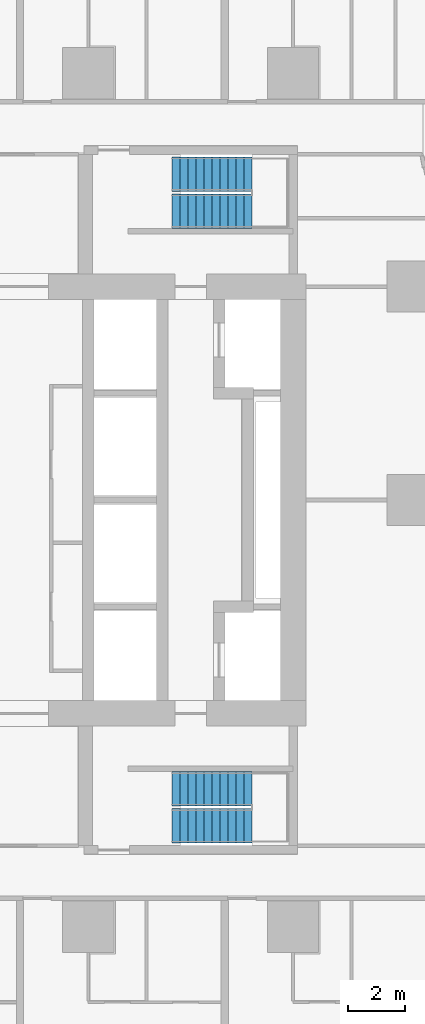
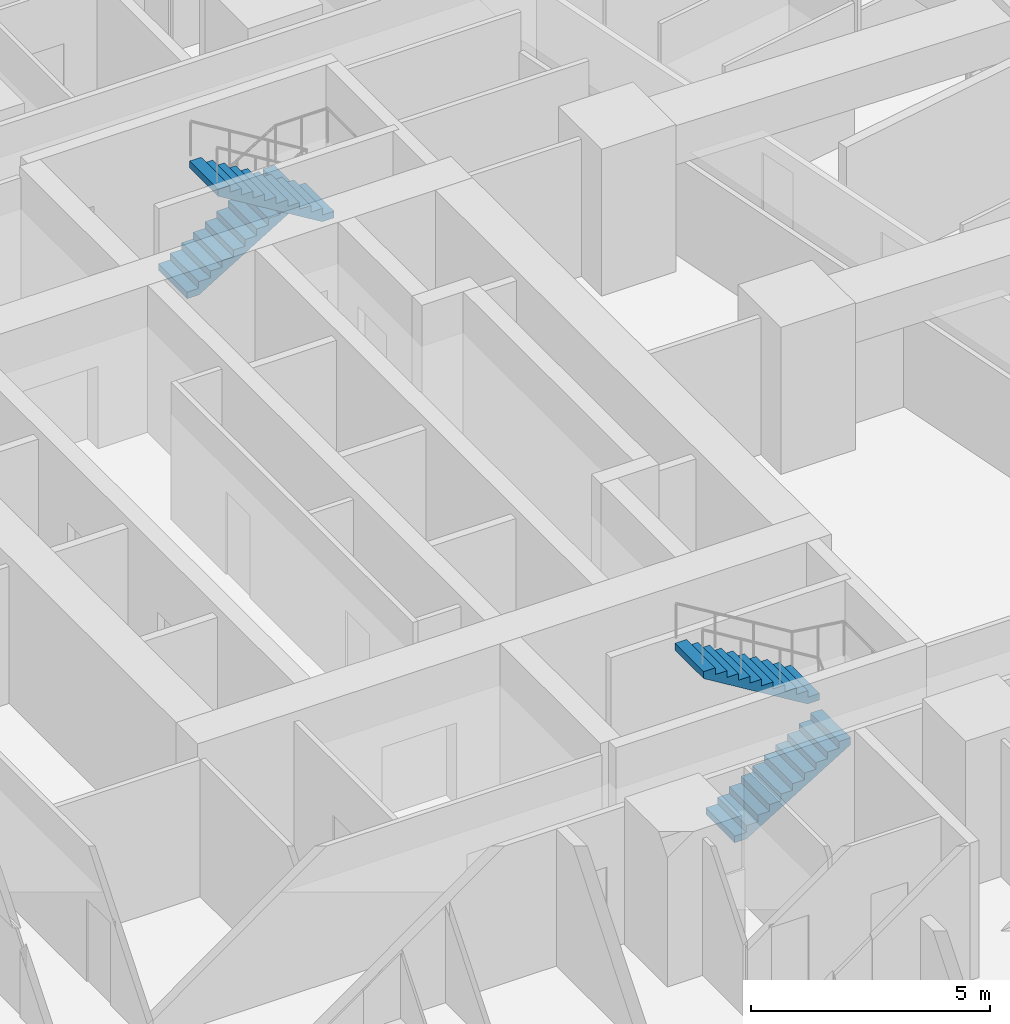
# One storey, part 12 of 15: 4 stair flights, 2 elements without a shape of their own.
"""IFC4 building model written with IfcOpenShell, lengths in metres."""

from ifc_helpers import new_model, si_unit, direction, frame, origin, place, context, subcontext, project, spatial, triangles, material, type_object, element, aggregate, save


model = new_model("IFC4")

# Units and contexts
model_context = context("Model", 3, precision=1e-05, world=origin(), true_north=direction((0.0, 1.0)))
body_context = subcontext(model_context, "Body", "Model", "MODEL_VIEW")
ifc_project = project(units=[si_unit("LENGTHUNIT", "METRE"), si_unit("AREAUNIT", "SQUARE_METRE"), si_unit("VOLUMEUNIT", "CUBIC_METRE"), si_unit("PLANEANGLEUNIT", "RADIAN"), si_unit("MASSUNIT", "GRAM", prefix="KILO")], contexts=[model_context])

# Site, building, storey
site_placement = place(None, origin())
site = spatial("IfcSite", under=ifc_project, at=site_placement, CompositionType="ELEMENT")
building_placement = place(site_placement, origin())
building = spatial("IfcBuilding", under=site, at=building_placement, Name="Sheger Commons Tower", CompositionType="ELEMENT")
storey_placement = place(building_placement, frame((0.0, 0.0, 65.0)))
storey = spatial("IfcBuildingStorey", under=building, at=storey_placement, Name="L16", CompositionType="ELEMENT", Elevation=65.0)

# Stair, stair flights
ifc_material_1 = material(Name="Concrete C35/45", Category="concrete")
stair_type = type_object("IfcStairType", Name="HALF-TURN STAIR 1200 RISE 3750", PredefinedType="HALF_TURN_STAIR", material=ifc_material_1)
stair_1_placement = place(storey_placement, origin())
stair_1 = element("IfcStair", 1, at=stair_1_placement, inside=storey, type_object=stair_type, Name="Stair S1 L16", PredefinedType="HALF_TURN_STAIR")
ifc_material_2 = material(Name="Concrete C35/45", Category="concrete")
stair_flight_type = type_object("IfcStairFlightType", Name="STAIR FLIGHT 1200 11 RISERS OF 170", PredefinedType="STRAIGHT", material=ifc_material_2)
stair_flight_1_placement = place(storey_placement, frame((24.550048828125, 11.050048828125, 0.0), z_axis=(0.0, 0.0, 1.0), x_axis=(1.0, 0.0, 0.0)))
stair_flight_1 = element("IfcStairFlight", 2, at=stair_flight_1_placement, type_object=stair_flight_type, Name="S1 flight 1", NumberOfRisers=11, NumberOfTreads=10, PredefinedType="STRAIGHT", RiserHeight=0.170454545, TreadLength=0.28, context=body_context, shape_type="Tessellation", body=[
    triangles([(0.0, 0.5999755859375, 0.0), (0.0, 0.5999755859375, 0.17041015625), (0.280029296875, 0.5999755859375, 0.17041015625), (0.280029296875, 0.5999755859375, 0.3408203125), (0.56005859375, 0.5999755859375, 0.3408203125), (0.56005859375, 0.5999755859375, 0.511474609375), (0.840087890625, 0.5999755859375, 0.511474609375), (0.840087890625, 0.5999755859375, 0.681884765625), (1.1201171875, 0.5999755859375, 0.681884765625), (1.1201171875, 0.5999755859375, 0.852294921875), (1.39990234375, 0.5999755859375, 0.852294921875), (1.39990234375, 0.5999755859375, 1.022705078125), (1.679931640625, 0.5999755859375, 1.022705078125), (1.679931640625, 0.5999755859375, 1.193115234375), (1.9599609375, 0.5999755859375, 1.193115234375), (1.9599609375, 0.5999755859375, 1.363525390625), (2.239990234375, 0.5999755859375, 1.363525390625), (2.239990234375, 0.5999755859375, 1.5341796875), (2.52001953125, 0.5999755859375, 1.5341796875), (2.52001953125, 0.5999755859375, 1.70458984375), (2.800048828125, 0.5999755859375, 1.70458984375), (2.800048828125, 0.5999755859375, 1.529052734375), (0.288330078125, 0.5999755859375, 0.0), (0.0, -0.5999755859375, 0.0), (0.0, -0.5999755859375, 0.17041015625), (0.280029296875, -0.5999755859375, 0.17041015625), (0.280029296875, -0.5999755859375, 0.3408203125), (0.56005859375, -0.5999755859375, 0.3408203125), (0.56005859375, -0.5999755859375, 0.511474609375), (0.840087890625, -0.5999755859375, 0.511474609375), (0.840087890625, -0.5999755859375, 0.681884765625), (1.1201171875, -0.5999755859375, 0.681884765625), (1.1201171875, -0.5999755859375, 0.852294921875), (1.39990234375, -0.5999755859375, 0.852294921875), (1.39990234375, -0.5999755859375, 1.022705078125), (1.679931640625, -0.5999755859375, 1.022705078125), (1.679931640625, -0.5999755859375, 1.193115234375), (1.9599609375, -0.5999755859375, 1.193115234375), (1.9599609375, -0.5999755859375, 1.363525390625), (2.239990234375, -0.5999755859375, 1.363525390625), (2.239990234375, -0.5999755859375, 1.5341796875), (2.52001953125, -0.5999755859375, 1.5341796875), (2.52001953125, -0.5999755859375, 1.70458984375), (2.800048828125, -0.5999755859375, 1.70458984375), (2.800048828125, -0.5999755859375, 1.529052734375), (0.288330078125, -0.5999755859375, 0.0), (0.0, 0.0, 0.085205078125), (0.1400146484375, 0.0, 0.17041015625), (0.280029296875, 0.0, 0.255615234375), (0.4200439453125, 0.0, 0.3408203125), (0.56005859375, 0.0, 0.4261474609375), (0.7000732421875, 0.0, 0.511474609375), (0.840087890625, 0.0, 0.5966796875), (0.9801025390625, 0.0, 0.681884765625), (1.1201171875, 0.0, 0.76708984375), (1.260009765625, 0.0, 0.852294921875), (1.39990234375, 0.0, 0.9375), (1.5399169921875, 0.0, 1.022705078125), (1.679931640625, 0.0, 1.10791015625), (1.8199462890625, 0.0, 1.193115234375), (1.9599609375, 0.0, 1.2783203125), (2.0999755859375, 0.0, 1.363525390625), (2.239990234375, 0.0, 1.4488525390625), (2.3800048828125, 0.0, 1.5341796875), (2.52001953125, 0.0, 1.619384765625), (2.6600341796875, 0.0, 1.70458984375), (2.800048828125, 0.0, 1.6168212890625), (1.544189453125, 0.0, 0.7645263671875), (0.1441650390625, 0.0, 0.0)], [[1, 22, 23], [24, 46, 45], [22, 20, 21], [45, 44, 43], [22, 19, 20], [45, 43, 42], [22, 18, 19], [45, 42, 41], [22, 17, 18], [45, 41, 40], [17, 15, 16], [40, 39, 38], [22, 15, 17], [45, 40, 38], [15, 13, 14], [38, 37, 36], [22, 13, 15], [45, 38, 36], [13, 11, 12], [36, 35, 34], [22, 11, 13], [45, 36, 34], [11, 9, 10], [34, 33, 32], [22, 9, 11], [45, 34, 32], [9, 7, 8], [32, 31, 30], [22, 7, 9], [45, 32, 30], [7, 5, 6], [30, 29, 28], [22, 5, 7], [45, 30, 28], [5, 3, 4], [28, 27, 26], [22, 3, 5], [45, 28, 26], [1, 3, 22], [24, 45, 26], [3, 1, 2], [26, 25, 24], [1, 47, 2], [2, 47, 25], [25, 47, 24], [24, 47, 1], [2, 48, 3], [3, 48, 26], [26, 48, 25], [25, 48, 2], [3, 49, 4], [4, 49, 27], [27, 49, 26], [26, 49, 3], [4, 50, 5], [5, 50, 28], [28, 50, 27], [27, 50, 4], [5, 51, 6], [6, 51, 29], [29, 51, 28], [28, 51, 5], [6, 52, 7], [7, 52, 30], [30, 52, 29], [29, 52, 6], [7, 53, 8], [8, 53, 31], [31, 53, 30], [30, 53, 7], [8, 54, 9], [9, 54, 32], [32, 54, 31], [31, 54, 8], [9, 55, 10], [10, 55, 33], [33, 55, 32], [32, 55, 9], [10, 56, 11], [11, 56, 34], [34, 56, 33], [33, 56, 10], [11, 57, 12], [12, 57, 35], [35, 57, 34], [34, 57, 11], [12, 58, 13], [13, 58, 36], [36, 58, 35], [35, 58, 12], [13, 59, 14], [14, 59, 37], [37, 59, 36], [36, 59, 13], [14, 60, 15], [15, 60, 38], [38, 60, 37], [37, 60, 14], [15, 61, 16], [16, 61, 39], [39, 61, 38], [38, 61, 15], [16, 62, 17], [17, 62, 40], [40, 62, 39], [39, 62, 16], [17, 63, 18], [18, 63, 41], [41, 63, 40], [40, 63, 17], [18, 64, 19], [19, 64, 42], [42, 64, 41], [41, 64, 18], [19, 65, 20], [20, 65, 43], [43, 65, 42], [42, 65, 19], [20, 66, 21], [21, 66, 44], [44, 66, 43], [43, 66, 20], [21, 67, 22], [22, 67, 45], [45, 67, 44], [44, 67, 21], [22, 68, 23], [23, 68, 46], [46, 68, 45], [45, 68, 22], [23, 69, 1], [1, 69, 24], [24, 69, 46], [46, 69, 23]], closed=True),
])
stair_flight_2_placement = place(storey_placement, frame((27.35009765625, 12.35009765625, 1.875), z_axis=(0.0, 0.0, 1.0), x_axis=(-1.0, 0.0, 0.0)))
stair_flight_2 = element("IfcStairFlight", 3, at=stair_flight_2_placement, type_object=stair_flight_type, Name="S1 flight 2", NumberOfRisers=11, NumberOfTreads=10, PredefinedType="STRAIGHT", RiserHeight=0.170454545, TreadLength=0.28, context=body_context, shape_type="Tessellation", body=[
    triangles([(0.0, 0.5999755859375, 0.0), (0.0, 0.5999755859375, 0.17041015625), (0.280029296875, 0.5999755859375, 0.17041015625), (0.280029296875, 0.5999755859375, 0.3408203125), (0.56005859375, 0.5999755859375, 0.3408203125), (0.56005859375, 0.5999755859375, 0.511474609375), (0.840087890625, 0.5999755859375, 0.511474609375), (0.840087890625, 0.5999755859375, 0.681884765625), (1.1201171875, 0.5999755859375, 0.681884765625), (1.1201171875, 0.5999755859375, 0.852294921875), (1.39990234375, 0.5999755859375, 0.852294921875), (1.39990234375, 0.5999755859375, 1.022705078125), (1.679931640625, 0.5999755859375, 1.022705078125), (1.679931640625, 0.5999755859375, 1.193115234375), (1.9599609375, 0.5999755859375, 1.193115234375), (1.9599609375, 0.5999755859375, 1.363525390625), (2.239990234375, 0.5999755859375, 1.363525390625), (2.239990234375, 0.5999755859375, 1.5341796875), (2.52001953125, 0.5999755859375, 1.5341796875), (2.52001953125, 0.5999755859375, 1.70458984375), (2.800048828125, 0.5999755859375, 1.70458984375), (2.800048828125, 0.5999755859375, 1.529052734375), (0.288330078125, 0.5999755859375, 0.0), (0.0, -0.5999755859375, 0.0), (0.0, -0.5999755859375, 0.17041015625), (0.280029296875, -0.5999755859375, 0.17041015625), (0.280029296875, -0.5999755859375, 0.3408203125), (0.56005859375, -0.5999755859375, 0.3408203125), (0.56005859375, -0.5999755859375, 0.511474609375), (0.840087890625, -0.5999755859375, 0.511474609375), (0.840087890625, -0.5999755859375, 0.681884765625), (1.1201171875, -0.5999755859375, 0.681884765625), (1.1201171875, -0.5999755859375, 0.852294921875), (1.39990234375, -0.5999755859375, 0.852294921875), (1.39990234375, -0.5999755859375, 1.022705078125), (1.679931640625, -0.5999755859375, 1.022705078125), (1.679931640625, -0.5999755859375, 1.193115234375), (1.9599609375, -0.5999755859375, 1.193115234375), (1.9599609375, -0.5999755859375, 1.363525390625), (2.239990234375, -0.5999755859375, 1.363525390625), (2.239990234375, -0.5999755859375, 1.5341796875), (2.52001953125, -0.5999755859375, 1.5341796875), (2.52001953125, -0.5999755859375, 1.70458984375), (2.800048828125, -0.5999755859375, 1.70458984375), (2.800048828125, -0.5999755859375, 1.529052734375), (0.288330078125, -0.5999755859375, 0.0), (0.0, 0.0, 0.085205078125), (0.1400146484375, 0.0, 0.17041015625), (0.280029296875, 0.0, 0.255615234375), (0.4200439453125, 0.0, 0.3408203125), (0.56005859375, 0.0, 0.4261474609375), (0.7000732421875, 0.0, 0.511474609375), (0.840087890625, 0.0, 0.5966796875), (0.9801025390625, 0.0, 0.681884765625), (1.1201171875, 0.0, 0.76708984375), (1.260009765625, 0.0, 0.852294921875), (1.39990234375, 0.0, 0.9375), (1.5399169921875, 0.0, 1.022705078125), (1.679931640625, 0.0, 1.10791015625), (1.8199462890625, 0.0, 1.193115234375), (1.9599609375, 0.0, 1.2783203125), (2.0999755859375, 0.0, 1.363525390625), (2.239990234375, 0.0, 1.4488525390625), (2.3800048828125, 0.0, 1.5341796875), (2.52001953125, 0.0, 1.619384765625), (2.6600341796875, 0.0, 1.70458984375), (2.800048828125, 0.0, 1.6168212890625), (1.544189453125, 0.0, 0.7645263671875), (0.1441650390625, 0.0, 0.0)], [[1, 22, 23], [24, 46, 45], [22, 20, 21], [45, 44, 43], [22, 19, 20], [45, 43, 42], [22, 18, 19], [45, 42, 41], [22, 17, 18], [45, 41, 40], [17, 15, 16], [40, 39, 38], [22, 15, 17], [45, 40, 38], [15, 13, 14], [38, 37, 36], [22, 13, 15], [45, 38, 36], [13, 11, 12], [36, 35, 34], [22, 11, 13], [45, 36, 34], [11, 9, 10], [34, 33, 32], [22, 9, 11], [45, 34, 32], [9, 7, 8], [32, 31, 30], [22, 7, 9], [45, 32, 30], [7, 5, 6], [30, 29, 28], [22, 5, 7], [45, 30, 28], [5, 3, 4], [28, 27, 26], [22, 3, 5], [45, 28, 26], [1, 3, 22], [24, 45, 26], [3, 1, 2], [26, 25, 24], [1, 47, 2], [2, 47, 25], [25, 47, 24], [24, 47, 1], [2, 48, 3], [3, 48, 26], [26, 48, 25], [25, 48, 2], [3, 49, 4], [4, 49, 27], [27, 49, 26], [26, 49, 3], [4, 50, 5], [5, 50, 28], [28, 50, 27], [27, 50, 4], [5, 51, 6], [6, 51, 29], [29, 51, 28], [28, 51, 5], [6, 52, 7], [7, 52, 30], [30, 52, 29], [29, 52, 6], [7, 53, 8], [8, 53, 31], [31, 53, 30], [30, 53, 7], [8, 54, 9], [9, 54, 32], [32, 54, 31], [31, 54, 8], [9, 55, 10], [10, 55, 33], [33, 55, 32], [32, 55, 9], [10, 56, 11], [11, 56, 34], [34, 56, 33], [33, 56, 10], [11, 57, 12], [12, 57, 35], [35, 57, 34], [34, 57, 11], [12, 58, 13], [13, 58, 36], [36, 58, 35], [35, 58, 12], [13, 59, 14], [14, 59, 37], [37, 59, 36], [36, 59, 13], [14, 60, 15], [15, 60, 38], [38, 60, 37], [37, 60, 14], [15, 61, 16], [16, 61, 39], [39, 61, 38], [38, 61, 15], [16, 62, 17], [17, 62, 40], [40, 62, 39], [39, 62, 16], [17, 63, 18], [18, 63, 41], [41, 63, 40], [40, 63, 17], [18, 64, 19], [19, 64, 42], [42, 64, 41], [41, 64, 18], [19, 65, 20], [20, 65, 43], [43, 65, 42], [42, 65, 19], [20, 66, 21], [21, 66, 44], [44, 66, 43], [43, 66, 20], [21, 67, 22], [22, 67, 45], [45, 67, 44], [44, 67, 21], [22, 68, 23], [23, 68, 46], [46, 68, 45], [45, 68, 22], [23, 69, 1], [1, 69, 24], [24, 69, 46], [46, 69, 23]], closed=True),
])
aggregate(stair_1, [stair_flight_1, stair_flight_2])

stair_2_placement = place(storey_placement, origin())
stair_2 = element("IfcStair", 4, at=stair_2_placement, inside=storey, type_object=stair_type, Name="Stair S2 L16", PredefinedType="HALF_TURN_STAIR")
stair_flight_3_placement = place(storey_placement, frame((24.550048828125, 33.949951171875, 0.0), z_axis=(0.0, 0.0, 1.0), x_axis=(1.0, 0.0, 0.0)))
stair_flight_3 = element("IfcStairFlight", 5, at=stair_flight_3_placement, type_object=stair_flight_type, Name="S2 flight 1", NumberOfRisers=11, NumberOfTreads=10, PredefinedType="STRAIGHT", RiserHeight=0.170454545, TreadLength=0.28, context=body_context, shape_type="Tessellation", body=[
    triangles([(0.0, 0.5999755859375, 0.0), (0.0, 0.5999755859375, 0.17041015625), (0.280029296875, 0.5999755859375, 0.17041015625), (0.280029296875, 0.5999755859375, 0.3408203125), (0.56005859375, 0.5999755859375, 0.3408203125), (0.56005859375, 0.5999755859375, 0.511474609375), (0.840087890625, 0.5999755859375, 0.511474609375), (0.840087890625, 0.5999755859375, 0.681884765625), (1.1201171875, 0.5999755859375, 0.681884765625), (1.1201171875, 0.5999755859375, 0.852294921875), (1.39990234375, 0.5999755859375, 0.852294921875), (1.39990234375, 0.5999755859375, 1.022705078125), (1.679931640625, 0.5999755859375, 1.022705078125), (1.679931640625, 0.5999755859375, 1.193115234375), (1.9599609375, 0.5999755859375, 1.193115234375), (1.9599609375, 0.5999755859375, 1.363525390625), (2.239990234375, 0.5999755859375, 1.363525390625), (2.239990234375, 0.5999755859375, 1.5341796875), (2.52001953125, 0.5999755859375, 1.5341796875), (2.52001953125, 0.5999755859375, 1.70458984375), (2.800048828125, 0.5999755859375, 1.70458984375), (2.800048828125, 0.5999755859375, 1.529052734375), (0.288330078125, 0.5999755859375, 0.0), (0.0, -0.5999755859375, 0.0), (0.0, -0.5999755859375, 0.17041015625), (0.280029296875, -0.5999755859375, 0.17041015625), (0.280029296875, -0.5999755859375, 0.3408203125), (0.56005859375, -0.5999755859375, 0.3408203125), (0.56005859375, -0.5999755859375, 0.511474609375), (0.840087890625, -0.5999755859375, 0.511474609375), (0.840087890625, -0.5999755859375, 0.681884765625), (1.1201171875, -0.5999755859375, 0.681884765625), (1.1201171875, -0.5999755859375, 0.852294921875), (1.39990234375, -0.5999755859375, 0.852294921875), (1.39990234375, -0.5999755859375, 1.022705078125), (1.679931640625, -0.5999755859375, 1.022705078125), (1.679931640625, -0.5999755859375, 1.193115234375), (1.9599609375, -0.5999755859375, 1.193115234375), (1.9599609375, -0.5999755859375, 1.363525390625), (2.239990234375, -0.5999755859375, 1.363525390625), (2.239990234375, -0.5999755859375, 1.5341796875), (2.52001953125, -0.5999755859375, 1.5341796875), (2.52001953125, -0.5999755859375, 1.70458984375), (2.800048828125, -0.5999755859375, 1.70458984375), (2.800048828125, -0.5999755859375, 1.529052734375), (0.288330078125, -0.5999755859375, 0.0), (0.0, 0.0, 0.085205078125), (0.1400146484375, 0.0, 0.17041015625), (0.280029296875, 0.0, 0.255615234375), (0.4200439453125, 0.0, 0.3408203125), (0.56005859375, 0.0, 0.4261474609375), (0.7000732421875, 0.0, 0.511474609375), (0.840087890625, 0.0, 0.5966796875), (0.9801025390625, 0.0, 0.681884765625), (1.1201171875, 0.0, 0.76708984375), (1.260009765625, 0.0, 0.852294921875), (1.39990234375, 0.0, 0.9375), (1.5399169921875, 0.0, 1.022705078125), (1.679931640625, 0.0, 1.10791015625), (1.8199462890625, 0.0, 1.193115234375), (1.9599609375, 0.0, 1.2783203125), (2.0999755859375, 0.0, 1.363525390625), (2.239990234375, 0.0, 1.4488525390625), (2.3800048828125, 0.0, 1.5341796875), (2.52001953125, 0.0, 1.619384765625), (2.6600341796875, 0.0, 1.70458984375), (2.800048828125, 0.0, 1.6168212890625), (1.544189453125, 0.0, 0.7645263671875), (0.1441650390625, 0.0, 0.0)], [[1, 22, 23], [24, 46, 45], [22, 20, 21], [45, 44, 43], [22, 19, 20], [45, 43, 42], [22, 18, 19], [45, 42, 41], [22, 17, 18], [45, 41, 40], [17, 15, 16], [40, 39, 38], [22, 15, 17], [45, 40, 38], [15, 13, 14], [38, 37, 36], [22, 13, 15], [45, 38, 36], [13, 11, 12], [36, 35, 34], [22, 11, 13], [45, 36, 34], [11, 9, 10], [34, 33, 32], [22, 9, 11], [45, 34, 32], [9, 7, 8], [32, 31, 30], [22, 7, 9], [45, 32, 30], [7, 5, 6], [30, 29, 28], [22, 5, 7], [45, 30, 28], [5, 3, 4], [28, 27, 26], [22, 3, 5], [45, 28, 26], [1, 3, 22], [24, 45, 26], [3, 1, 2], [26, 25, 24], [1, 47, 2], [2, 47, 25], [25, 47, 24], [24, 47, 1], [2, 48, 3], [3, 48, 26], [26, 48, 25], [25, 48, 2], [3, 49, 4], [4, 49, 27], [27, 49, 26], [26, 49, 3], [4, 50, 5], [5, 50, 28], [28, 50, 27], [27, 50, 4], [5, 51, 6], [6, 51, 29], [29, 51, 28], [28, 51, 5], [6, 52, 7], [7, 52, 30], [30, 52, 29], [29, 52, 6], [7, 53, 8], [8, 53, 31], [31, 53, 30], [30, 53, 7], [8, 54, 9], [9, 54, 32], [32, 54, 31], [31, 54, 8], [9, 55, 10], [10, 55, 33], [33, 55, 32], [32, 55, 9], [10, 56, 11], [11, 56, 34], [34, 56, 33], [33, 56, 10], [11, 57, 12], [12, 57, 35], [35, 57, 34], [34, 57, 11], [12, 58, 13], [13, 58, 36], [36, 58, 35], [35, 58, 12], [13, 59, 14], [14, 59, 37], [37, 59, 36], [36, 59, 13], [14, 60, 15], [15, 60, 38], [38, 60, 37], [37, 60, 14], [15, 61, 16], [16, 61, 39], [39, 61, 38], [38, 61, 15], [16, 62, 17], [17, 62, 40], [40, 62, 39], [39, 62, 16], [17, 63, 18], [18, 63, 41], [41, 63, 40], [40, 63, 17], [18, 64, 19], [19, 64, 42], [42, 64, 41], [41, 64, 18], [19, 65, 20], [20, 65, 43], [43, 65, 42], [42, 65, 19], [20, 66, 21], [21, 66, 44], [44, 66, 43], [43, 66, 20], [21, 67, 22], [22, 67, 45], [45, 67, 44], [44, 67, 21], [22, 68, 23], [23, 68, 46], [46, 68, 45], [45, 68, 22], [23, 69, 1], [1, 69, 24], [24, 69, 46], [46, 69, 23]], closed=True),
])
stair_flight_4_placement = place(storey_placement, frame((27.35009765625, 32.64990234375, 1.875), z_axis=(0.0, 0.0, 1.0), x_axis=(-1.0, 0.0, 0.0)))
stair_flight_4 = element("IfcStairFlight", 6, at=stair_flight_4_placement, type_object=stair_flight_type, Name="S2 flight 2", NumberOfRisers=11, NumberOfTreads=10, PredefinedType="STRAIGHT", RiserHeight=0.170454545, TreadLength=0.28, context=body_context, shape_type="Tessellation", body=[
    triangles([(0.0, 0.5999755859375, 0.0), (0.0, 0.5999755859375, 0.17041015625), (0.280029296875, 0.5999755859375, 0.17041015625), (0.280029296875, 0.5999755859375, 0.3408203125), (0.56005859375, 0.5999755859375, 0.3408203125), (0.56005859375, 0.5999755859375, 0.511474609375), (0.840087890625, 0.5999755859375, 0.511474609375), (0.840087890625, 0.5999755859375, 0.681884765625), (1.1201171875, 0.5999755859375, 0.681884765625), (1.1201171875, 0.5999755859375, 0.852294921875), (1.39990234375, 0.5999755859375, 0.852294921875), (1.39990234375, 0.5999755859375, 1.022705078125), (1.679931640625, 0.5999755859375, 1.022705078125), (1.679931640625, 0.5999755859375, 1.193115234375), (1.9599609375, 0.5999755859375, 1.193115234375), (1.9599609375, 0.5999755859375, 1.363525390625), (2.239990234375, 0.5999755859375, 1.363525390625), (2.239990234375, 0.5999755859375, 1.5341796875), (2.52001953125, 0.5999755859375, 1.5341796875), (2.52001953125, 0.5999755859375, 1.70458984375), (2.800048828125, 0.5999755859375, 1.70458984375), (2.800048828125, 0.5999755859375, 1.529052734375), (0.288330078125, 0.5999755859375, 0.0), (0.0, -0.5999755859375, 0.0), (0.0, -0.5999755859375, 0.17041015625), (0.280029296875, -0.5999755859375, 0.17041015625), (0.280029296875, -0.5999755859375, 0.3408203125), (0.56005859375, -0.5999755859375, 0.3408203125), (0.56005859375, -0.5999755859375, 0.511474609375), (0.840087890625, -0.5999755859375, 0.511474609375), (0.840087890625, -0.5999755859375, 0.681884765625), (1.1201171875, -0.5999755859375, 0.681884765625), (1.1201171875, -0.5999755859375, 0.852294921875), (1.39990234375, -0.5999755859375, 0.852294921875), (1.39990234375, -0.5999755859375, 1.022705078125), (1.679931640625, -0.5999755859375, 1.022705078125), (1.679931640625, -0.5999755859375, 1.193115234375), (1.9599609375, -0.5999755859375, 1.193115234375), (1.9599609375, -0.5999755859375, 1.363525390625), (2.239990234375, -0.5999755859375, 1.363525390625), (2.239990234375, -0.5999755859375, 1.5341796875), (2.52001953125, -0.5999755859375, 1.5341796875), (2.52001953125, -0.5999755859375, 1.70458984375), (2.800048828125, -0.5999755859375, 1.70458984375), (2.800048828125, -0.5999755859375, 1.529052734375), (0.288330078125, -0.5999755859375, 0.0), (0.0, 0.0, 0.085205078125), (0.1400146484375, 0.0, 0.17041015625), (0.280029296875, 0.0, 0.255615234375), (0.4200439453125, 0.0, 0.3408203125), (0.56005859375, 0.0, 0.4261474609375), (0.7000732421875, 0.0, 0.511474609375), (0.840087890625, 0.0, 0.5966796875), (0.9801025390625, 0.0, 0.681884765625), (1.1201171875, 0.0, 0.76708984375), (1.260009765625, 0.0, 0.852294921875), (1.39990234375, 0.0, 0.9375), (1.5399169921875, 0.0, 1.022705078125), (1.679931640625, 0.0, 1.10791015625), (1.8199462890625, 0.0, 1.193115234375), (1.9599609375, 0.0, 1.2783203125), (2.0999755859375, 0.0, 1.363525390625), (2.239990234375, 0.0, 1.4488525390625), (2.3800048828125, 0.0, 1.5341796875), (2.52001953125, 0.0, 1.619384765625), (2.6600341796875, 0.0, 1.70458984375), (2.800048828125, 0.0, 1.6168212890625), (1.544189453125, 0.0, 0.7645263671875), (0.1441650390625, 0.0, 0.0)], [[1, 22, 23], [24, 46, 45], [22, 20, 21], [45, 44, 43], [22, 19, 20], [45, 43, 42], [22, 18, 19], [45, 42, 41], [22, 17, 18], [45, 41, 40], [17, 15, 16], [40, 39, 38], [22, 15, 17], [45, 40, 38], [15, 13, 14], [38, 37, 36], [22, 13, 15], [45, 38, 36], [13, 11, 12], [36, 35, 34], [22, 11, 13], [45, 36, 34], [11, 9, 10], [34, 33, 32], [22, 9, 11], [45, 34, 32], [9, 7, 8], [32, 31, 30], [22, 7, 9], [45, 32, 30], [7, 5, 6], [30, 29, 28], [22, 5, 7], [45, 30, 28], [5, 3, 4], [28, 27, 26], [22, 3, 5], [45, 28, 26], [1, 3, 22], [24, 45, 26], [3, 1, 2], [26, 25, 24], [1, 47, 2], [2, 47, 25], [25, 47, 24], [24, 47, 1], [2, 48, 3], [3, 48, 26], [26, 48, 25], [25, 48, 2], [3, 49, 4], [4, 49, 27], [27, 49, 26], [26, 49, 3], [4, 50, 5], [5, 50, 28], [28, 50, 27], [27, 50, 4], [5, 51, 6], [6, 51, 29], [29, 51, 28], [28, 51, 5], [6, 52, 7], [7, 52, 30], [30, 52, 29], [29, 52, 6], [7, 53, 8], [8, 53, 31], [31, 53, 30], [30, 53, 7], [8, 54, 9], [9, 54, 32], [32, 54, 31], [31, 54, 8], [9, 55, 10], [10, 55, 33], [33, 55, 32], [32, 55, 9], [10, 56, 11], [11, 56, 34], [34, 56, 33], [33, 56, 10], [11, 57, 12], [12, 57, 35], [35, 57, 34], [34, 57, 11], [12, 58, 13], [13, 58, 36], [36, 58, 35], [35, 58, 12], [13, 59, 14], [14, 59, 37], [37, 59, 36], [36, 59, 13], [14, 60, 15], [15, 60, 38], [38, 60, 37], [37, 60, 14], [15, 61, 16], [16, 61, 39], [39, 61, 38], [38, 61, 15], [16, 62, 17], [17, 62, 40], [40, 62, 39], [39, 62, 16], [17, 63, 18], [18, 63, 41], [41, 63, 40], [40, 63, 17], [18, 64, 19], [19, 64, 42], [42, 64, 41], [41, 64, 18], [19, 65, 20], [20, 65, 43], [43, 65, 42], [42, 65, 19], [20, 66, 21], [21, 66, 44], [44, 66, 43], [43, 66, 20], [21, 67, 22], [22, 67, 45], [45, 67, 44], [44, 67, 21], [22, 68, 23], [23, 68, 46], [46, 68, 45], [45, 68, 22], [23, 69, 1], [1, 69, 24], [24, 69, 46], [46, 69, 23]], closed=True),
])
aggregate(stair_2, [stair_flight_3, stair_flight_4])

save(model, "model.ifc")
